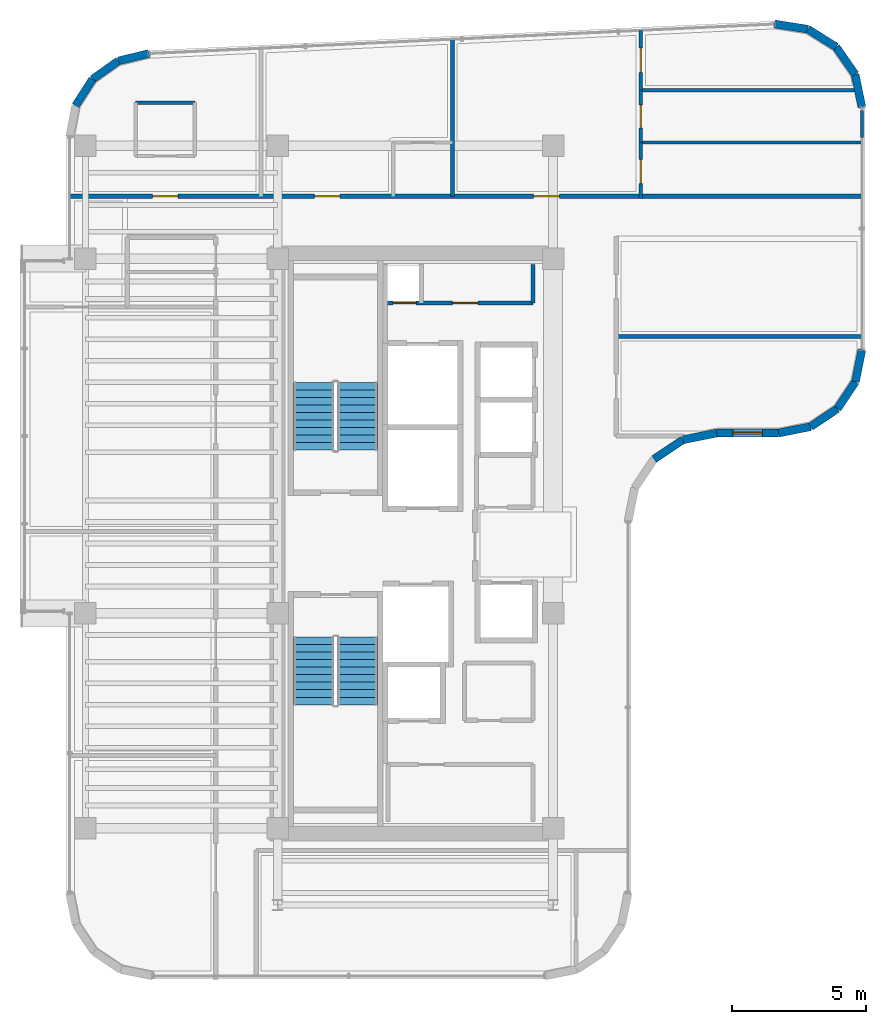
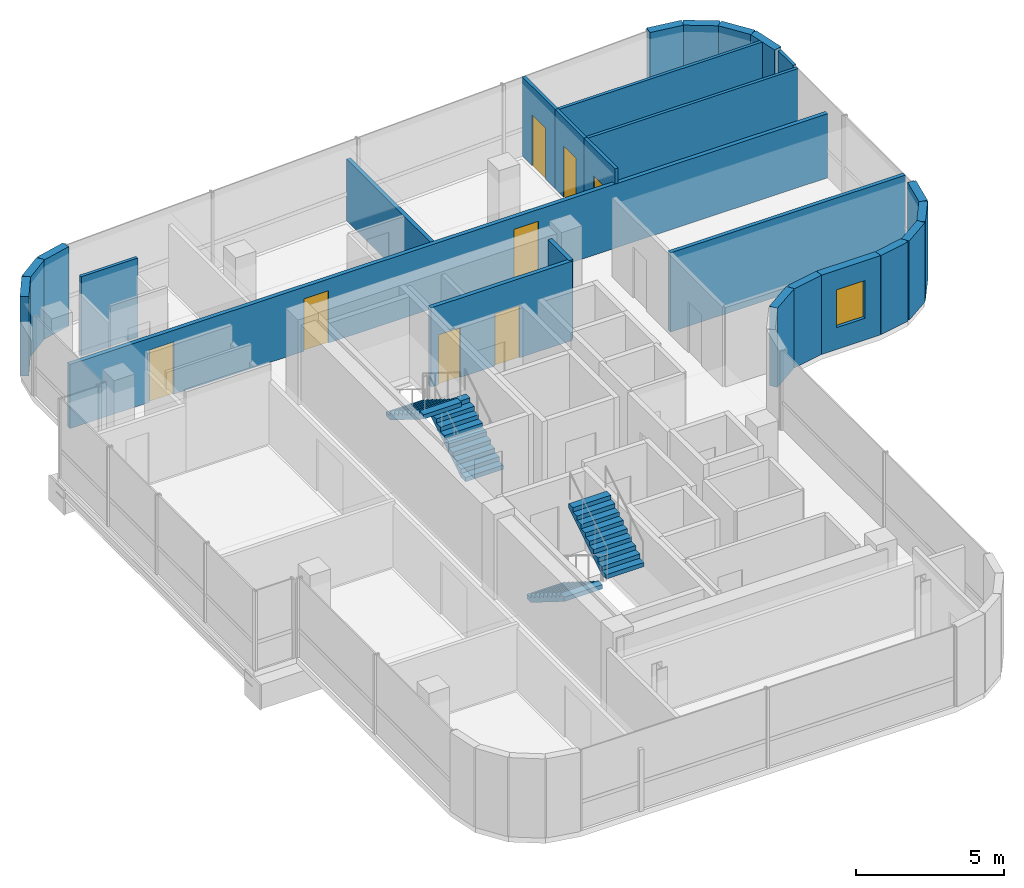
# One storey, part 16 of 18: 26 walls, 8 doors, 4 stair flights, 1 window, 9 openings, 2 elements without a shape of their own.
"""IFC4 building model written with IfcOpenShell, lengths in metres."""

from ifc_helpers import new_model, si_unit, direction, frame, frame_2d, origin, place, context, subcontext, project, spatial, polyline, rectangle, outline, extrude, material, layer, layer_set, type_object, element, fill, aggregate, save


model = new_model("IFC4")

# Units and contexts
model_context = context("Model", 3, precision=1e-05, world=origin(), true_north=direction((0.0, 1.0)))
body_context = subcontext(model_context, "Body", "Model", "MODEL_VIEW")
ifc_project = project(units=[si_unit("LENGTHUNIT", "METRE"), si_unit("AREAUNIT", "SQUARE_METRE"), si_unit("VOLUMEUNIT", "CUBIC_METRE"), si_unit("PLANEANGLEUNIT", "RADIAN"), si_unit("MASSUNIT", "GRAM", prefix="KILO")], contexts=[model_context])

# Site, building, storey
site_placement = place(None, origin())
site = spatial("IfcSite", under=ifc_project, at=site_placement, CompositionType="ELEMENT")
building_placement = place(site_placement, origin())
building = spatial("IfcBuilding", under=site, at=building_placement, Name="Valdorenza Pilgrim Sanctuary Tower", CompositionType="ELEMENT")
storey_placement = place(building_placement, frame((0.0, 0.0, 247.5)))
storey = spatial("IfcBuildingStorey", under=building, at=storey_placement, Name="L64", CompositionType="ELEMENT", Elevation=247.5)

# Wall, openings, doors
ifc_material_1 = material(Name="Acoustic twin-stud gypsum partition", Category="gypsum")
ifc_layer_1 = layer(ifc_material_1, 0.159912109375, Name="Acoustic twin-stud gypsum partition")
ifc_layer_set_1 = layer_set([ifc_layer_1], Name="Acoustic twin-stud gypsum partition")
wall_type_1 = type_object("IfcWallType", Name="WAL-COR-160", PredefinedType="PARTITIONING", material=ifc_layer_set_1)
wall_1_placement = place(storey_placement, frame((-18.64990234375, 8.949951171875, 0.0), z_axis=(0.0, 0.0, 1.0), x_axis=(1.0, 0.0, 0.0)))
wall_1 = element("IfcWall", 1, at=wall_1_placement, inside=storey, type_object=wall_type_1, Name="L64 Core A North Service South Wall", PredefinedType="PARTITIONING", context=body_context, shape_type="SweptSolid", body=[
    extrude(rectangle(XDim=5.5, YDim=0.159912109375, at=frame_2d((2.75, 0.0))), origin(), (0.0, 0.0, 1.0), 3.260009765625),
])
opening_1_placement = place(wall_1_placement, frame((0.300048828125, 0.0, 0.0)))
opening_1 = element("IfcOpeningElement", 2, at=opening_1_placement, cuts=wall_1, Name="Opening DR-RS1", PredefinedType="OPENING", context=body_context, shape_type="SweptSolid", body=[
    extrude(rectangle(XDim=0.85009765625, YDim=2.050048828125, at=frame_2d((0.425048828125, 1.02490234375))), frame((0.0, 0.0947265625, 0.0), z_axis=(0.0, -1.0, 0.0), x_axis=(1.0, 0.0, 0.0)), (0.0, 0.0, 1.0), 0.189697265625),
])
opening_2_placement = place(wall_1_placement, frame((2.5, 0.0, 0.0)))
opening_2 = element("IfcOpeningElement", 3, at=opening_2_placement, cuts=wall_1, Name="Opening DR-UN1", PredefinedType="OPENING", context=body_context, shape_type="SweptSolid", body=[
    extrude(rectangle(XDim=0.949951171875, YDim=2.14990234375, at=frame_2d((0.47509765625, 1.074951171875))), frame((0.0, 0.0947265625, 0.0), z_axis=(0.0, -1.0, 0.0), x_axis=(1.0, 0.0, 0.0)), (0.0, 0.0, 1.0), 0.189697265625),
])
ifc_material_2 = material(Name="Painted galvanized steel", Category="steel")
door_type_1 = type_object("IfcDoorType", Name="DR-RSR-850", OperationType="NOTDEFINED", PredefinedType="DOOR", material=ifc_material_2)
door_1_placement = place(opening_1_placement, origin())
door_1 = element("IfcDoor", 4, at=door_1_placement, inside=storey, type_object=door_type_1, Name="L64 Core Electrical and Telecom Riser Door", OperationType="SINGLE_SWING_LEFT", OverallHeight=2.050048828125, OverallWidth=0.85009765625, PredefinedType="DOOR", context=body_context, shape_type="SweptSolid", body=[
    extrude(rectangle(XDim=0.85009765625, YDim=2.050048828125, at=frame_2d((0.425048828125, 1.02490234375))), frame((0.0, 0.02490234375, 0.0), z_axis=(0.0, -1.0, 0.0), x_axis=(1.0, 0.0, 0.0)), (0.0, 0.0, 1.0), 0.050048828125),
])
fill(opening_1, door_1)
ifc_material_3 = material(Name="Solid-core European oak timber", Category="wood")
door_type_2 = type_object("IfcDoorType", Name="DR-UNIT-950", OperationType="NOTDEFINED", PredefinedType="DOOR", material=ifc_material_3)
door_2_placement = place(opening_2_placement, origin())
door_2 = element("IfcDoor", 5, at=door_2_placement, inside=storey, type_object=door_type_2, Name="L64 Housekeeping and Clean Linen Room Door", OperationType="SINGLE_SWING_RIGHT", OverallHeight=2.14990234375, OverallWidth=0.949951171875, PredefinedType="DOOR", context=body_context, shape_type="SweptSolid", body=[
    extrude(rectangle(XDim=0.949951171875, YDim=2.14990234375, at=frame_2d((0.47509765625, 1.074951171875))), frame((0.0, 0.02490234375, 0.0), z_axis=(0.0, -1.0, 0.0), x_axis=(1.0, 0.0, 0.0)), (0.0, 0.0, 1.0), 0.050048828125),
])
fill(opening_2, door_2)

# Wall
wall_2_placement = place(storey_placement, frame((-13.14990234375, 8.949951171875, 0.0), z_axis=(0.0, 0.0, 1.0), x_axis=(0.0, 1.0, 0.0)))
element("IfcWall", 6, at=wall_2_placement, inside=storey, type_object=wall_type_1, Name="L64 Core A North Service East Wall", PredefinedType="PARTITIONING", context=body_context, shape_type="SweptSolid", body=[
    extrude(rectangle(XDim=1.429931640625, YDim=0.159912109375, at=frame_2d((0.71484375, 0.0))), origin(), (0.0, 0.0, 1.0), 3.260009765625),
])

# Wall, openings, doors
wall_3_placement = place(storey_placement, frame((-30.389892578125, 12.919921875, 0.0), z_axis=(0.0, 0.0, 1.0), x_axis=(1.0, 0.0, 0.0)))
wall_3 = element("IfcWall", 7, at=wall_3_placement, inside=storey, type_object=wall_type_1, Name="L64 North Corridor Wall", PredefinedType="PARTITIONING", context=body_context, shape_type="SweptSolid", body=[
    extrude(rectangle(XDim=29.47998046875, YDim=0.159912109375, at=frame_2d((14.739990234375, 0.0))), origin(), (0.0, 0.0, 1.0), 2.634033203125),
])
opening_3_placement = place(wall_3_placement, frame((3.0849609375, 0.0, 0.0)))
opening_3 = element("IfcOpeningElement", 8, at=opening_3_placement, cuts=wall_3, Name="Opening DR-UN1", PredefinedType="OPENING", context=body_context, shape_type="SweptSolid", body=[
    extrude(rectangle(XDim=0.949951171875, YDim=2.14990234375, at=frame_2d((0.47509765625, 1.074951171875))), frame((0.0, 0.0947265625, 0.0), z_axis=(0.0, -1.0, 0.0), x_axis=(1.0, 0.0, 0.0)), (0.0, 0.0, 1.0), 0.189697265625),
])
opening_4_placement = place(wall_3_placement, frame((9.10498046875, 0.0, 0.0)))
opening_4 = element("IfcOpeningElement", 9, at=opening_4_placement, cuts=wall_3, Name="Opening DR-UN1", PredefinedType="OPENING", context=body_context, shape_type="SweptSolid", body=[
    extrude(rectangle(XDim=0.949951171875, YDim=2.14990234375, at=frame_2d((0.47509765625, 1.074951171875))), frame((0.0, 0.0947265625, 0.0), z_axis=(0.0, -1.0, 0.0), x_axis=(1.0, 0.0, 0.0)), (0.0, 0.0, 1.0), 0.189697265625),
])
opening_5_placement = place(wall_3_placement, frame((17.27001953125, 0.0, 0.0)))
opening_5 = element("IfcOpeningElement", 10, at=opening_5_placement, cuts=wall_3, Name="Opening DR-UN1", PredefinedType="OPENING", context=body_context, shape_type="SweptSolid", body=[
    extrude(rectangle(XDim=0.949951171875, YDim=2.14990234375, at=frame_2d((0.47509765625, 1.074951171875))), frame((0.0, 0.0947265625, 0.0), z_axis=(0.0, -1.0, 0.0), x_axis=(1.0, 0.0, 0.0)), (0.0, 0.0, 1.0), 0.189697265625),
])
door_3_placement = place(opening_3_placement, frame((0.949951171875, 0.0, 0.0), z_axis=(0.0, 0.0, 1.0), x_axis=(-1.0, 0.0, 0.0)))
door_3 = element("IfcDoor", 11, at=door_3_placement, inside=storey, type_object=door_type_2, Name="L64 North Sanctuary Guest Room L64-N1A Entrance Door", OperationType="SINGLE_SWING_LEFT", OverallHeight=2.14990234375, OverallWidth=0.949951171875, PredefinedType="DOOR", context=body_context, shape_type="SweptSolid", body=[
    extrude(rectangle(XDim=0.949951171875, YDim=2.14990234375, at=frame_2d((0.47509765625, 1.074951171875))), frame((0.0, 0.02490234375, 0.0), z_axis=(0.0, -1.0, 0.0), x_axis=(1.0, 0.0, 0.0)), (0.0, 0.0, 1.0), 0.050048828125),
])
fill(opening_3, door_3)
door_4_placement = place(opening_4_placement, frame((0.949951171875, 0.0, 0.0), z_axis=(0.0, 0.0, 1.0), x_axis=(-1.0, 0.0, 0.0)))
door_4 = element("IfcDoor", 12, at=door_4_placement, inside=storey, type_object=door_type_2, Name="L64 North Sanctuary Guest Room L64-N1B Entrance Door", OperationType="SINGLE_SWING_LEFT", OverallHeight=2.14990234375, OverallWidth=0.949951171875, PredefinedType="DOOR", context=body_context, shape_type="SweptSolid", body=[
    extrude(rectangle(XDim=0.949951171875, YDim=2.14990234375, at=frame_2d((0.47509765625, 1.074951171875))), frame((0.0, 0.02490234375, 0.0), z_axis=(0.0, -1.0, 0.0), x_axis=(1.0, 0.0, 0.0)), (0.0, 0.0, 1.0), 0.050048828125),
])
fill(opening_4, door_4)
door_5_placement = place(opening_5_placement, frame((0.949951171875, 0.0, 0.0), z_axis=(0.0, 0.0, 1.0), x_axis=(-1.0, 0.0, 0.0)))
door_5 = element("IfcDoor", 13, at=door_5_placement, inside=storey, type_object=door_type_2, Name="L64 North Sanctuary Apartment L64-N2 Entrance Door", OperationType="SINGLE_SWING_LEFT", OverallHeight=2.14990234375, OverallWidth=0.949951171875, PredefinedType="DOOR", context=body_context, shape_type="SweptSolid", body=[
    extrude(rectangle(XDim=0.949951171875, YDim=2.14990234375, at=frame_2d((0.47509765625, 1.074951171875))), frame((0.0, 0.02490234375, 0.0), z_axis=(0.0, -1.0, 0.0), x_axis=(1.0, 0.0, 0.0)), (0.0, 0.0, 1.0), 0.050048828125),
])
fill(opening_5, door_5)

# Walls
ifc_material_4 = material(Name="Honed travertine limestone", Category="masonry")
ifc_layer_2 = layer(ifc_material_4, 0.300048828125, Name="Honed travertine limestone")
ifc_layer_set_2 = layer_set([ifc_layer_2], Name="Honed travertine limestone")
wall_type_2 = type_object("IfcWallType", Name="WAL-EXT-300", PredefinedType="SOLIDWALL", material=ifc_layer_set_2)
wall_4_placement = place(storey_placement, frame((-30.16650390625, 16.29541015625, 0.0), z_axis=(0.0, 0.0, 1.0), x_axis=(0.540842020947, 0.841124193195, 0.0)))
element("IfcWall", 14, at=wall_4_placement, inside=storey, type_object=wall_type_2, Name="L64 Rounded Wind-Corner Stone Pier 3", PredefinedType="SOLIDWALL", context=body_context, shape_type="SweptSolid", body=[
    extrude(rectangle(XDim=1.169189453125, YDim=0.300048828125, at=frame_2d((0.58447265625, 0.0))), origin(), (0.0, 0.0, 1.0), 3.260009765625),
])
wall_5_placement = place(storey_placement, frame((-29.5341796875, 17.27880859375, 0.0), z_axis=(0.0, 0.0, 1.0), x_axis=(0.81466371606, 0.579933642527, 0.0)))
element("IfcWall", 15, at=wall_5_placement, inside=storey, type_object=wall_type_2, Name="L64 Rounded Wind-Corner Stone Pier 4", PredefinedType="SOLIDWALL", context=body_context, shape_type="SweptSolid", body=[
    extrude(rectangle(XDim=1.1689453125, YDim=0.300048828125, at=frame_2d((0.58447265625, 0.0))), origin(), (0.0, 0.0, 1.0), 3.260009765625),
])
wall_6_placement = place(storey_placement, frame((-28.581787109375, 17.956787109375, 0.0), z_axis=(0.0, 0.0, 1.0), x_axis=(0.971929016595, 0.235274279725, 0.0)))
element("IfcWall", 16, at=wall_6_placement, inside=storey, type_object=wall_type_2, Name="L64 Rounded Wind-Corner Stone Pier 5", PredefinedType="SOLIDWALL", context=body_context, shape_type="SweptSolid", body=[
    extrude(rectangle(XDim=1.179931640625, YDim=0.300048828125, at=frame_2d((0.58984375, 0.0))), origin(), (0.0, 0.0, 1.0), 3.260009765625),
])
wall_7_placement = place(storey_placement, frame((-4.15673828125, 19.331787109375, 0.0), z_axis=(0.0, 0.0, 1.0), x_axis=(0.987969236552, -0.15465053387, 0.0)))
element("IfcWall", 17, at=wall_7_placement, inside=storey, type_object=wall_type_2, Name="L64 Rounded Wind-Corner Stone Pier 7", PredefinedType="SOLIDWALL", context=body_context, shape_type="SweptSolid", body=[
    extrude(rectangle(XDim=1.251953125, YDim=0.300048828125, at=frame_2d((0.6259765625, 0.0))), origin(), (0.0, 0.0, 1.0), 3.260009765625),
])
for number, where, z_axis, x_axis, name in (
    (18, (-2.919921875, 19.13818359375, 0.0), (0.0, 0.0, 1.0), (0.847489288141, -0.530812496543, 0.0), "L64 Rounded Wind-Corner Stone Pier 8"),
    (19, (-1.86865234375, 18.479736328125, 0.0), (0.0, 0.0, 1.0), (0.570181861951, -0.821518499063, 0.0), "L64 Rounded Wind-Corner Stone Pier 9"),
):
    element("IfcWall", number, at=place(storey_placement, frame(where, z_axis=z_axis, x_axis=x_axis)), inside=storey, type_object=wall_type_2, Name=name, PredefinedType="SOLIDWALL", context=body_context, shape_type="SweptSolid", body=[
        extrude(rectangle(XDim=1.240478515625, YDim=0.300048828125, at=frame_2d((0.6201171875, 0.0))), origin(), (0.0, 0.0, 1.0), 3.260009765625),
    ])
wall_8_placement = place(storey_placement, frame((-1.161376953125, 17.460693359375, 0.0), z_axis=(0.0, 0.0, 1.0), x_axis=(0.20087696073, -0.979616479367, 0.0)))
element("IfcWall", 20, at=wall_8_placement, inside=storey, type_object=wall_type_2, Name="L64 Rounded Wind-Corner Stone Pier 10", PredefinedType="SOLIDWALL", context=body_context, shape_type="SweptSolid", body=[
    extrude(rectangle(XDim=1.251953125, YDim=0.300048828125, at=frame_2d((0.6259765625, 0.0))), origin(), (0.0, 0.0, 1.0), 3.260009765625),
])
wall_9_placement = place(storey_placement, frame((-0.909912109375, 7.210693359375, 0.0), z_axis=(0.0, 0.0, 1.0), x_axis=(-0.195189223115, -0.980765602568, 0.0)))
element("IfcWall", 21, at=wall_9_placement, inside=storey, type_object=wall_type_2, Name="L64 Rounded Wind-Corner Stone Pier 12", PredefinedType="SOLIDWALL", context=body_context, shape_type="SweptSolid", body=[
    extrude(rectangle(XDim=1.2158203125, YDim=0.300048828125, at=frame_2d((0.60791015625, 0.0))), origin(), (0.0, 0.0, 1.0), 3.260009765625),
])
for number, where, z_axis, x_axis, name in (
    (22, (-1.147216796875, 6.018310546875, 0.0), (0.0, 0.0, 1.0), (-0.555635100982, -0.831426265255, 0.0), "L64 Rounded Wind-Corner Stone Pier 13"),
    (23, (-1.816650390625, 5.0166015625, 0.0), (0.0, 0.0, 1.0), (-0.831426265255, -0.555635100982, 0.0), "L64 Rounded Wind-Corner Stone Pier 14"),
):
    element("IfcWall", number, at=place(storey_placement, frame(where, z_axis=z_axis, x_axis=x_axis)), inside=storey, type_object=wall_type_2, Name=name, PredefinedType="SOLIDWALL", context=body_context, shape_type="SweptSolid", body=[
        extrude(rectangle(XDim=1.204833984375, YDim=0.300048828125, at=frame_2d((0.6025390625, 0.0))), origin(), (0.0, 0.0, 1.0), 3.260009765625),
    ])
wall_10_placement = place(storey_placement, frame((-2.818359375, 4.34716796875, 0.0), z_axis=(0.0, 0.0, 1.0), x_axis=(-0.980804027463, -0.194996050505, 0.0)))
element("IfcWall", 24, at=wall_10_placement, inside=storey, type_object=wall_type_2, Name="L64 Rounded Wind-Corner Stone Pier 15", PredefinedType="SOLIDWALL", context=body_context, shape_type="SweptSolid", body=[
    extrude(rectangle(XDim=1.2158203125, YDim=0.300048828125, at=frame_2d((0.60791015625, 0.0))), origin(), (0.0, 0.0, 1.0), 3.260009765625),
])

# Wall, opening, window
wall_11_placement = place(storey_placement, frame((-4.0107421875, 4.110107421875, 0.0), z_axis=(0.0, 0.0, 1.0), x_axis=(-1.0, 0.0, 0.0)))
wall_11 = element("IfcWall", 25, at=wall_11_placement, inside=storey, type_object=wall_type_2, Name="L64 Rounded Wind-Corner Stone Pier 16", PredefinedType="SOLIDWALL", context=body_context, shape_type="SweptSolid", body=[
    extrude(rectangle(XDim=2.300048828125, YDim=0.300048828125, at=frame_2d((1.14990234375, 0.0))), origin(), (0.0, 0.0, 1.0), 3.260009765625),
])
opening_6_placement = place(wall_11_placement, frame((0.60009765625, 0.0, 0.89990234375)))
opening_6 = element("IfcOpeningElement", 26, at=opening_6_placement, cuts=wall_11, Name="Opening WN-CR1", PredefinedType="OPENING", context=body_context, shape_type="SweptSolid", body=[
    extrude(rectangle(XDim=1.10009765625, YDim=1.550048828125, at=frame_2d((0.550048828125, 0.77490234375))), frame((0.0, 0.1650390625, 0.0), z_axis=(0.0, -1.0, 0.0), x_axis=(1.0, 0.0, 0.0)), (0.0, 0.0, 1.0), 0.329833984375),
])
ifc_material_5 = material(Name="Ceramic-fritted low-E IGU glazing", Category="glass")
window_type = type_object("IfcWindowType", Name="WIN-CRN-1200", PartitioningType="SINGLE_PANEL", PredefinedType="WINDOW", material=ifc_material_5)
window_placement = place(opening_6_placement, origin())
window = element("IfcWindow", 27, at=window_placement, inside=storey, type_object=window_type, Name="L64 Rounded Corner Slot Window 16", OverallHeight=1.550048828125, OverallWidth=1.10009765625, PartitioningType="SINGLE_PANEL", PredefinedType="WINDOW", context=body_context, shape_type="SweptSolid", body=[
    extrude(rectangle(XDim=1.10009765625, YDim=1.550048828125, at=frame_2d((0.550048828125, 0.77490234375))), frame((0.0, 0.030029296875, 0.0), z_axis=(0.0, -1.0, 0.0), x_axis=(1.0, 0.0, 0.0)), (0.0, 0.0, 1.0), 0.06005859375),
])
fill(opening_6, window)

# Walls
wall_12_placement = place(storey_placement, frame((-6.310791015625, 4.110107421875, 0.0), z_axis=(0.0, 0.0, 1.0), x_axis=(-0.980778058848, -0.195126623715, 0.0)))
element("IfcWall", 28, at=wall_12_placement, inside=storey, type_object=wall_type_2, Name="L64 Rounded Wind-Corner Stone Pier 17", PredefinedType="SOLIDWALL", context=body_context, shape_type="SweptSolid", body=[
    extrude(rectangle(XDim=1.28125, YDim=0.300048828125, at=frame_2d((0.640625, 0.0))), origin(), (0.0, 0.0, 1.0), 3.260009765625),
])
wall_13_placement = place(storey_placement, frame((-7.5673828125, 3.860107421875, 0.0), z_axis=(0.0, 0.0, 1.0), x_axis=(-0.831497739511, -0.555528135371, 0.0)))
element("IfcWall", 29, at=wall_13_placement, inside=storey, type_object=wall_type_2, Name="L64 Rounded Wind-Corner Stone Pier 18", PredefinedType="SOLIDWALL", context=body_context, shape_type="SweptSolid", body=[
    extrude(rectangle(XDim=1.29248046875, YDim=0.300048828125, at=frame_2d((0.646240234375, 0.0))), origin(), (0.0, 0.0, 1.0), 3.260009765625),
])
ifc_material_6 = material(Name="Moisture-resistant gypsum partition", Category="gypsum")
ifc_layer_3 = layer(ifc_material_6, 0.1201171875, Name="Moisture-resistant gypsum partition")
ifc_layer_set_3 = layer_set([ifc_layer_3], Name="Moisture-resistant gypsum partition")
wall_type_3 = type_object("IfcWallType", Name="WAL-INT-120", PredefinedType="PARTITIONING", material=ifc_layer_set_3)
wall_14_placement = place(storey_placement, frame((-27.929931640625, 16.404052734375, 0.0), z_axis=(0.0, 0.0, 1.0), x_axis=(1.0, 0.0, 0.0)))
element("IfcWall", 30, at=wall_14_placement, inside=storey, type_object=wall_type_3, Name="L64 North Sanctuary Guest Room L64-N1A En-suite Back Wall", PredefinedType="PARTITIONING", context=body_context, shape_type="SweptSolid", body=[
    extrude(rectangle(XDim=2.199951171875, YDim=0.1201171875, at=frame_2d((1.10009765625, 0.0))), origin(), (0.0, 0.0, 1.0), 3.260009765625),
])
wall_15_placement = place(storey_placement, frame((-9.1396484375, 14.919921875, 0.0), z_axis=(0.0, 0.0, 1.0), x_axis=(1.0, 0.0, 0.0)))
element("IfcWall", 31, at=wall_15_placement, inside=storey, type_object=wall_type_3, Name="L64 North Sanctuary Apartment L64-N2 Bath-Kitchen Wall", PredefinedType="PARTITIONING", context=body_context, shape_type="SweptSolid", body=[
    extrude(rectangle(XDim=8.229736328125, YDim=0.1201171875, at=frame_2d((4.11474609375, 0.0))), origin(), (0.0, 0.0, 1.0), 3.260009765625),
])
wall_16_placement = place(storey_placement, frame((-9.1396484375, 16.8701171875, 0.0), z_axis=(0.0, 0.0, 1.0), x_axis=(1.0, 0.0, 0.0)))
element("IfcWall", 32, at=wall_16_placement, inside=storey, type_object=wall_type_3, Name="L64 North Sanctuary Apartment L64-N2 Kitchen-Bedroom Wall", PredefinedType="PARTITIONING", context=body_context, shape_type="SweptSolid", body=[
    extrude(rectangle(XDim=7.9716796875, YDim=0.1201171875, at=frame_2d((3.98583984375, 0.0))), origin(), (0.0, 0.0, 1.0), 3.260009765625),
])

# Wall, opening, door
wall_17_placement = place(storey_placement, frame((-9.1396484375, 14.919921875, 0.0), z_axis=(0.0, 0.0, 1.0), x_axis=(0.0, 1.0, 0.0)))
wall_17 = element("IfcWall", 33, at=wall_17_placement, inside=storey, type_object=wall_type_3, Name="L64 North Sanctuary Apartment L64-N2 Bathroom Door Wall", PredefinedType="PARTITIONING", context=body_context, shape_type="SweptSolid", body=[
    extrude(rectangle(XDim=1.9501953125, YDim=0.1201171875, at=frame_2d((0.97509765625, 0.0))), origin(), (0.0, 0.0, 1.0), 3.260009765625),
])
opening_7_placement = place(wall_17_placement, frame((0.550048828125, 0.0, 0.0)))
opening_7 = element("IfcOpeningElement", 34, at=opening_7_placement, cuts=wall_17, Name="Opening DR-WC1", PredefinedType="OPENING", context=body_context, shape_type="SweptSolid", body=[
    extrude(rectangle(XDim=0.85009765625, YDim=2.10009765625, at=frame_2d((0.425048828125, 1.050048828125))), frame((0.0, 0.074951171875, 0.0), z_axis=(0.0, -1.0, 0.0), x_axis=(1.0, 0.0, 0.0)), (0.0, 0.0, 1.0), 0.14990234375),
])
ifc_material_7 = material(Name="Moisture-resistant lacquered timber", Category="wood")
door_type_3 = type_object("IfcDoorType", Name="DR-BATH-850", OperationType="NOTDEFINED", PredefinedType="DOOR", material=ifc_material_7)
door_6_placement = place(opening_7_placement, origin())
door_6 = element("IfcDoor", 35, at=door_6_placement, inside=storey, type_object=door_type_3, Name="L64 North Sanctuary Apartment L64-N2 Bathroom Door", OperationType="SINGLE_SWING_RIGHT", OverallHeight=2.10009765625, OverallWidth=0.85009765625, PredefinedType="DOOR", context=body_context, shape_type="SweptSolid", body=[
    extrude(rectangle(XDim=0.85009765625, YDim=2.10009765625, at=frame_2d((0.425048828125, 1.050048828125))), frame((0.0, 0.02490234375, 0.0), z_axis=(0.0, -1.0, 0.0), x_axis=(1.0, 0.0, 0.0)), (0.0, 0.0, 1.0), 0.050048828125),
])
fill(opening_7, door_6)

wall_18_placement = place(storey_placement, frame((-9.1396484375, 12.840087890625, 0.0), z_axis=(0.0, 0.0, 1.0), x_axis=(0.0, 1.0, 0.0)))
wall_18 = element("IfcWall", 36, at=wall_18_placement, inside=storey, type_object=wall_type_3, Name="L64 North Sanctuary Apartment L64-N2 Kitchen Door Wall", PredefinedType="PARTITIONING", context=body_context, shape_type="SweptSolid", body=[
    extrude(rectangle(XDim=2.079833984375, YDim=0.1201171875, at=frame_2d((1.0400390625, 0.0))), origin(), (0.0, 0.0, 1.0), 3.260009765625),
])
opening_8_placement = place(wall_18_placement, frame((0.550048828125, 0.0, 0.0)))
opening_8 = element("IfcOpeningElement", 37, at=opening_8_placement, cuts=wall_18, Name="Opening DR-RM1", PredefinedType="OPENING", context=body_context, shape_type="SweptSolid", body=[
    extrude(rectangle(XDim=0.89990234375, YDim=2.10009765625, at=frame_2d((0.449951171875, 1.050048828125))), frame((0.0, 0.074951171875, 0.0), z_axis=(0.0, -1.0, 0.0), x_axis=(1.0, 0.0, 0.0)), (0.0, 0.0, 1.0), 0.14990234375),
])
door_type_4 = type_object("IfcDoorType", Name="DR-ROOM-900", OperationType="NOTDEFINED", PredefinedType="DOOR", material=ifc_material_3)
door_7_placement = place(opening_8_placement, origin())
door_7 = element("IfcDoor", 38, at=door_7_placement, inside=storey, type_object=door_type_4, Name="L64 North Sanctuary Apartment L64-N2 Kitchen Door", OperationType="SINGLE_SWING_LEFT", OverallHeight=2.10009765625, OverallWidth=0.89990234375, PredefinedType="DOOR", context=body_context, shape_type="SweptSolid", body=[
    extrude(rectangle(XDim=0.89990234375, YDim=2.10009765625, at=frame_2d((0.449951171875, 1.050048828125))), frame((0.0, 0.02490234375, 0.0), z_axis=(0.0, -1.0, 0.0), x_axis=(1.0, 0.0, 0.0)), (0.0, 0.0, 1.0), 0.050048828125),
])
fill(opening_8, door_7)

wall_19_placement = place(storey_placement, frame((-9.1396484375, 16.8701171875, 0.0), z_axis=(0.0, 0.0, 1.0), x_axis=(0.0, 1.0, 0.0)))
wall_19 = element("IfcWall", 39, at=wall_19_placement, inside=storey, type_object=wall_type_3, Name="L64 North Sanctuary Apartment L64-N2 Bedroom Door Wall", PredefinedType="PARTITIONING", context=body_context, shape_type="SweptSolid", body=[
    extrude(rectangle(XDim=2.2265625, YDim=0.1201171875, at=frame_2d((1.11328125, 0.0))), origin(), (0.0, 0.0, 1.0), 3.260009765625),
])
opening_9_placement = place(wall_19_placement, frame((0.6630859375, 0.0, 0.0)))
opening_9 = element("IfcOpeningElement", 40, at=opening_9_placement, cuts=wall_19, Name="Opening DR-RM1", PredefinedType="OPENING", context=body_context, shape_type="SweptSolid", body=[
    extrude(rectangle(XDim=0.89990234375, YDim=2.10009765625, at=frame_2d((0.449951171875, 1.050048828125))), frame((0.0, 0.074951171875, 0.0), z_axis=(0.0, -1.0, 0.0), x_axis=(1.0, 0.0, 0.0)), (0.0, 0.0, 1.0), 0.14990234375),
])
door_8_placement = place(opening_9_placement, origin())
door_8 = element("IfcDoor", 41, at=door_8_placement, inside=storey, type_object=door_type_4, Name="L64 North Sanctuary Apartment L64-N2 Bedroom Door", OperationType="SINGLE_SWING_RIGHT", OverallHeight=2.10009765625, OverallWidth=0.89990234375, PredefinedType="DOOR", context=body_context, shape_type="SweptSolid", body=[
    extrude(rectangle(XDim=0.89990234375, YDim=2.10009765625, at=frame_2d((0.449951171875, 1.050048828125))), frame((0.0, 0.02490234375, 0.0), z_axis=(0.0, -1.0, 0.0), x_axis=(1.0, 0.0, 0.0)), (0.0, 0.0, 1.0), 0.050048828125),
])
fill(opening_9, door_8)

# Walls
wall_20_placement = place(storey_placement, frame((-0.909912109375, 15.10009765625, 0.0), z_axis=(0.0, 0.0, 1.0), x_axis=(0.0, 1.0, 0.0)))
element("IfcWall", 42, at=wall_20_placement, inside=storey, type_object=wall_type_3, Name="L64 NW-AP2-BTH Enclosure Wall E", PredefinedType="PARTITIONING", context=body_context, shape_type="SweptSolid", body=[
    extrude(rectangle(XDim=1.01171875, YDim=0.1201171875, at=frame_2d((0.505859375, 0.0))), origin(), (0.0, 0.0, 1.0), 3.260009765625),
])
ifc_layer_4 = layer(ifc_material_1, 0.14990234375, Name="Acoustic twin-stud gypsum partition")
ifc_layer_set_4 = layer_set([ifc_layer_4], Name="Acoustic twin-stud gypsum partition")
wall_type_4 = type_object("IfcWallType", Name="WAL-UNT-150", PredefinedType="PARTITIONING", material=ifc_layer_set_4)
wall_21_placement = place(storey_placement, frame((-16.14990234375, 12.919921875, 0.0), z_axis=(0.0, 0.0, 1.0), x_axis=(0.0, 1.0, 0.0)))
element("IfcWall", 43, at=wall_21_placement, inside=storey, type_object=wall_type_4, Name="L64 North Apt Demising 1", PredefinedType="PARTITIONING", context=body_context, shape_type="SweptSolid", body=[
    extrude(rectangle(XDim=5.846435546875, YDim=0.14990234375, at=frame_2d((2.92333984375, 0.0))), origin(), (0.0, 0.0, 1.0), 2.5439453125),
])
wall_22_placement = place(storey_placement, frame((-10.050048828125, 7.7099609375, 0.0), z_axis=(0.0, 0.0, 1.0), x_axis=(1.0, 0.0, 0.0)))
element("IfcWall", 44, at=wall_22_placement, inside=storey, type_object=wall_type_4, Name="L64 Sacred Art Exhibition Gallery L64-E2 Demising Wall", PredefinedType="PARTITIONING", context=body_context, shape_type="SweptSolid", body=[
    extrude(rectangle(XDim=9.14013671875, YDim=0.14990234375, at=frame_2d((4.570068359375, 0.0))), origin(), (0.0, 0.0, 1.0), 3.260009765625),
])

# Stair, stair flights
ifc_material_8 = material(Name="Concrete C40/50", Category="concrete")
stair_type = type_object("IfcStairType", Name="STR-DOG-CORE", PredefinedType="HALF_TURN_STAIR", material=ifc_material_8)
stair_1_placement = place(storey_placement, origin())
stair_1 = element("IfcStair", 45, at=stair_1_placement, inside=storey, type_object=stair_type, Name="L64 ST-A1", PredefinedType="HALF_TURN_STAIR")
stair_flight_type = type_object("IfcStairFlightType", Name="STF-RC-1400", PredefinedType="STRAIGHT", material=ifc_material_8)
stair_flight_1_placement = place(storey_placement, frame((-19.679931640625, 3.47998046875, 0.0), z_axis=(0.0, 0.0, 1.0), x_axis=(0.0, 1.0, 0.0)))
stair_flight_1 = element("IfcStairFlight", 46, at=stair_flight_1_placement, type_object=stair_flight_type, Name="ST-A1 flight 1", NumberOfRisers=10, NumberOfTreads=9, PredefinedType="STRAIGHT", RiserHeight=0.175, TreadLength=0.28, context=body_context, shape_type="SweptSolid", body=[
    extrude(outline(polyline([(0.0, 0.0), (0.0, 0.175048828125), (0.280029296875, 0.175048828125), (0.280029296875, 0.35009765625), (0.56005859375, 0.35009765625), (0.56005859375, 0.52490234375), (0.840087890625, 0.52490234375), (0.840087890625, 0.699951171875), (1.1201171875, 0.699951171875), (1.1201171875, 0.875), (1.39990234375, 0.875), (1.39990234375, 1.050048828125), (1.679931640625, 1.050048828125), (1.679931640625, 1.22509765625), (1.9599609375, 1.22509765625), (1.9599609375, 1.39990234375), (2.239990234375, 1.39990234375), (2.239990234375, 1.574951171875), (2.52001953125, 1.574951171875), (2.52001953125, 1.75), (2.52001953125, 1.398193359375), (0.28271484375, 0.0), (0.0, 0.0)])), frame((0.0, 0.739990234375, 0.0), z_axis=(0.0, -1.0, 0.0), x_axis=(1.0, 0.0, 0.0)), (0.0, 0.0, 1.0), 1.47998046875),
])
stair_flight_2_placement = place(storey_placement, frame((-21.31005859375, 6.0, 1.75), z_axis=(0.0, 0.0, 1.0), x_axis=(0.0, -1.0, 0.0)))
stair_flight_2 = element("IfcStairFlight", 47, at=stair_flight_2_placement, type_object=stair_flight_type, Name="ST-A1 flight 2", NumberOfRisers=10, NumberOfTreads=9, PredefinedType="STRAIGHT", RiserHeight=0.175, TreadLength=0.28, context=body_context, shape_type="SweptSolid", body=[
    extrude(outline(polyline([(0.0, 0.0), (0.0, 0.175048828125), (0.280029296875, 0.175048828125), (0.280029296875, 0.35009765625), (0.56005859375, 0.35009765625), (0.56005859375, 0.52490234375), (0.840087890625, 0.52490234375), (0.840087890625, 0.699951171875), (1.1201171875, 0.699951171875), (1.1201171875, 0.875), (1.39990234375, 0.875), (1.39990234375, 1.050048828125), (1.679931640625, 1.050048828125), (1.679931640625, 1.22509765625), (1.9599609375, 1.22509765625), (1.9599609375, 1.39990234375), (2.239990234375, 1.39990234375), (2.239990234375, 1.574951171875), (2.52001953125, 1.574951171875), (2.52001953125, 1.75), (2.52001953125, 1.398193359375), (0.28271484375, 0.0), (0.0, 0.0)])), frame((0.0, 0.739990234375, 0.0), z_axis=(0.0, -1.0, 0.0), x_axis=(1.0, 0.0, 0.0)), (0.0, 0.0, 1.0), 1.47998046875),
])
aggregate(stair_1, [stair_flight_1, stair_flight_2])

stair_2_placement = place(storey_placement, origin())
stair_2 = element("IfcStair", 48, at=stair_2_placement, inside=storey, type_object=stair_type, Name="L64 ST-A2", PredefinedType="HALF_TURN_STAIR")
stair_flight_3_placement = place(storey_placement, frame((-21.31005859375, -3.47998046875, 0.0), z_axis=(0.0, 0.0, 1.0), x_axis=(0.0, -1.0, 0.0)))
stair_flight_3 = element("IfcStairFlight", 49, at=stair_flight_3_placement, type_object=stair_flight_type, Name="ST-A2 flight 1", NumberOfRisers=10, NumberOfTreads=9, PredefinedType="STRAIGHT", RiserHeight=0.175, TreadLength=0.28, context=body_context, shape_type="SweptSolid", body=[
    extrude(outline(polyline([(0.0, 0.0), (0.0, 0.175048828125), (0.280029296875, 0.175048828125), (0.280029296875, 0.35009765625), (0.56005859375, 0.35009765625), (0.56005859375, 0.52490234375), (0.840087890625, 0.52490234375), (0.840087890625, 0.699951171875), (1.1201171875, 0.699951171875), (1.1201171875, 0.875), (1.39990234375, 0.875), (1.39990234375, 1.050048828125), (1.679931640625, 1.050048828125), (1.679931640625, 1.22509765625), (1.9599609375, 1.22509765625), (1.9599609375, 1.39990234375), (2.239990234375, 1.39990234375), (2.239990234375, 1.574951171875), (2.52001953125, 1.574951171875), (2.52001953125, 1.75), (2.52001953125, 1.398193359375), (0.28271484375, 0.0), (0.0, 0.0)])), frame((0.0, 0.739990234375, 0.0), z_axis=(0.0, -1.0, 0.0), x_axis=(1.0, 0.0, 0.0)), (0.0, 0.0, 1.0), 1.47998046875),
])
stair_flight_4_placement = place(storey_placement, frame((-19.679931640625, -6.0, 1.75), z_axis=(0.0, 0.0, 1.0), x_axis=(0.0, 1.0, 0.0)))
stair_flight_4 = element("IfcStairFlight", 50, at=stair_flight_4_placement, type_object=stair_flight_type, Name="ST-A2 flight 2", NumberOfRisers=10, NumberOfTreads=9, PredefinedType="STRAIGHT", RiserHeight=0.175, TreadLength=0.28, context=body_context, shape_type="SweptSolid", body=[
    extrude(outline(polyline([(0.0, 0.0), (0.0, 0.175048828125), (0.280029296875, 0.175048828125), (0.280029296875, 0.35009765625), (0.56005859375, 0.35009765625), (0.56005859375, 0.52490234375), (0.840087890625, 0.52490234375), (0.840087890625, 0.699951171875), (1.1201171875, 0.699951171875), (1.1201171875, 0.875), (1.39990234375, 0.875), (1.39990234375, 1.050048828125), (1.679931640625, 1.050048828125), (1.679931640625, 1.22509765625), (1.9599609375, 1.22509765625), (1.9599609375, 1.39990234375), (2.239990234375, 1.39990234375), (2.239990234375, 1.574951171875), (2.52001953125, 1.574951171875), (2.52001953125, 1.75), (2.52001953125, 1.398193359375), (0.28271484375, 0.0), (0.0, 0.0)])), frame((0.0, 0.739990234375, 0.0), z_axis=(0.0, -1.0, 0.0), x_axis=(1.0, 0.0, 0.0)), (0.0, 0.0, 1.0), 1.47998046875),
])
aggregate(stair_2, [stair_flight_3, stair_flight_4])

save(model, "model.ifc")
